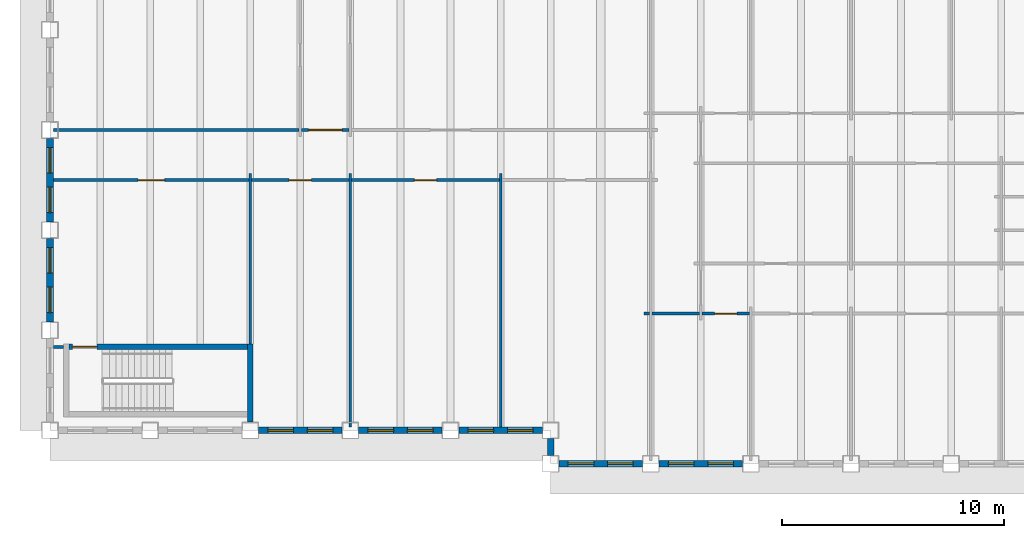
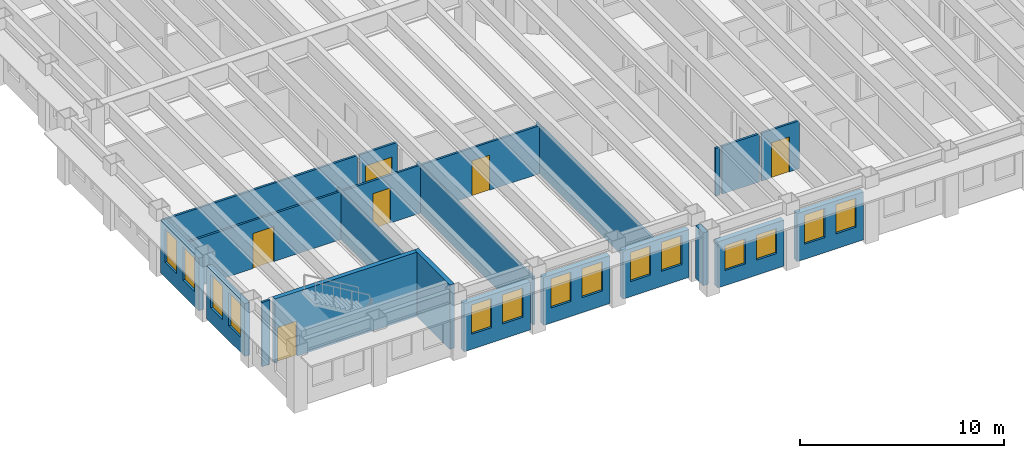
# One storey, part 3 of 16: 22 walls, 14 windows, 6 doors, 20 openings.
"""IFC4 building model written with IfcOpenShell, lengths in metres."""

from ifc_helpers import new_model, si_unit, direction, frame, frame_2d, origin, place, context, subcontext, project, spatial, rectangle, extrude, material, layer, layer_set, type_object, element, fill, save


model = new_model("IFC4")

# Units and contexts
model_context = context("Model", 3, precision=1e-05, world=origin(), true_north=direction((0.0, 1.0)))
body_context = subcontext(model_context, "Body", "Model", "MODEL_VIEW")
ifc_project = project(units=[si_unit("LENGTHUNIT", "METRE"), si_unit("AREAUNIT", "SQUARE_METRE"), si_unit("VOLUMEUNIT", "CUBIC_METRE"), si_unit("PLANEANGLEUNIT", "RADIAN"), si_unit("MASSUNIT", "GRAM", prefix="KILO")], contexts=[model_context])

# Site, building, storey
site_placement = place(None, origin())
site = spatial("IfcSite", under=ifc_project, at=site_placement, CompositionType="ELEMENT")
building_placement = place(site_placement, origin())
building = spatial("IfcBuilding", under=site, at=building_placement, Name="Sennacour Bend Tower", CompositionType="ELEMENT")
storey_placement = place(building_placement, frame((0.0, 0.0, 211.0)))
storey = spatial("IfcBuildingStorey", under=building, at=storey_placement, Name="L48", CompositionType="ELEMENT", Elevation=211.0)

# Walls
ifc_material_1 = material(Name="Plasterboard partition on steel studs", Category="steel")
ifc_layer_1 = layer(ifc_material_1, 0.1201171875, Name="Plasterboard partition on steel studs", Category="steel")
ifc_layer_set_1 = layer_set([ifc_layer_1], Name="Plasterboard partition on steel studs")
wall_type_1 = type_object("IfcWallType", Name="Partition 120", PredefinedType="PARTITIONING", material=ifc_layer_set_1)
wall_1_placement = place(storey_placement, frame((9.0, 3.875, 0.0), z_axis=(0.0, 0.0, 1.0), x_axis=(0.0, 1.0, 0.0)))
element("IfcWall", 1, at=wall_1_placement, inside=storey, type_object=wall_type_1, Name="P-L48-W011a", PredefinedType="PARTITIONING", context=body_context, shape_type="SweptSolid", body=[
    extrude(rectangle(XDim=7.675048828125, YDim=0.1201171875, at=frame_2d((3.83740234375, 0.0))), origin(), (0.0, 0.0, 1.0), 2.8701171875),
])
for number, where, z_axis, x_axis, name in (
    (2, (13.5, 0.14990234375, 0.0), (0.0, 0.0, 1.0), (0.0, 1.0, 0.0), "P-L48-W015a"),
    (3, (20.25, 0.14990234375, 0.0), (0.0, 0.0, 1.0), (0.0, 1.0, 0.0), "P-L48-W022a"),
):
    element("IfcWall", number, at=place(storey_placement, frame(where, z_axis=z_axis, x_axis=x_axis)), inside=storey, type_object=wall_type_1, Name=name, PredefinedType="PARTITIONING", context=body_context, shape_type="SweptSolid", body=[
        extrude(rectangle(XDim=11.400146484375, YDim=0.1201171875, at=frame_2d((5.7001953125, 0.0))), origin(), (0.0, 0.0, 1.0), 2.8701171875),
    ])
wall_2_placement = place(storey_placement, frame((0.14990234375, 3.75, 0.0), z_axis=(0.0, 0.0, 1.0), x_axis=(1.0, 0.0, 0.0)))
element("IfcWall", 4, at=wall_2_placement, inside=storey, type_object=wall_type_1, Name="P-L48-W051a", PredefinedType="PARTITIONING", context=body_context, shape_type="SweptSolid", body=[
    extrude(rectangle(XDim=0.4501953125, YDim=0.1201171875, at=frame_2d((0.22509765625, 0.0))), origin(), (0.0, 0.0, 1.0), 3.85009765625),
])
wall_3_placement = place(storey_placement, frame((26.699951171875, 5.25, 0.0), z_axis=(0.0, 0.0, 1.0), x_axis=(1.0, 0.0, 0.0)))
element("IfcWall", 5, at=wall_3_placement, inside=storey, type_object=wall_type_1, Name="P-L48-W055aa", PredefinedType="PARTITIONING", context=body_context, shape_type="SweptSolid", body=[
    extrude(rectangle(XDim=0.239990234375, YDim=0.1201171875, at=frame_2d((0.1201171875, 0.0))), origin(), (0.0, 0.0, 1.0), 2.8701171875),
])
wall_4_placement = place(storey_placement, frame((27.06005859375, 5.25, 0.0), z_axis=(0.0, 0.0, 1.0), x_axis=(1.0, 0.0, 0.0)))
element("IfcWall", 6, at=wall_4_placement, inside=storey, type_object=wall_type_1, Name="P-L48-W055ab", PredefinedType="PARTITIONING", context=body_context, shape_type="SweptSolid", body=[
    extrude(rectangle(XDim=2.1298828125, YDim=0.1201171875, at=frame_2d((1.06494140625, 0.0))), origin(), (0.0, 0.0, 1.0), 2.8701171875),
])

# Wall, opening, door
wall_5_placement = place(storey_placement, frame((29.31005859375, 5.25, 0.0), z_axis=(0.0, 0.0, 1.0), x_axis=(1.0, 0.0, 0.0)))
wall_5 = element("IfcWall", 7, at=wall_5_placement, inside=storey, type_object=wall_type_1, Name="P-L48-W055ac", PredefinedType="PARTITIONING", context=body_context, shape_type="SweptSolid", body=[
    extrude(rectangle(XDim=2.1298828125, YDim=0.1201171875, at=frame_2d((1.06494140625, 0.0))), origin(), (0.0, 0.0, 1.0), 2.8701171875),
])
opening_1_placement = place(wall_5_placement, frame((0.56494140625, 0.0, 0.0)))
opening_1 = element("IfcOpeningElement", 8, at=opening_1_placement, cuts=wall_5, Name="Opening OD2", PredefinedType="OPENING", context=body_context, shape_type="SweptSolid", body=[
    extrude(rectangle(XDim=1.0, YDim=2.10009765625, at=frame_2d((0.5, 1.050048828125))), frame((0.0, 0.070068359375, 0.0), z_axis=(0.0, -1.0, 0.0), x_axis=(1.0, 0.0, 0.0)), (0.0, 0.0, 1.0), 0.14013671875),
])
ifc_material_2 = material(Name="Timber", Category="wood")
door_type_1 = type_object("IfcDoorType", Name="DR-OFFICE-1000", OperationType="NOTDEFINED", PredefinedType="DOOR", material=ifc_material_2)
door_1_placement = place(opening_1_placement, origin())
door_1 = element("IfcDoor", 9, at=door_1_placement, inside=storey, type_object=door_type_1, Name="Door", OperationType="SINGLE_SWING_LEFT", OverallHeight=2.10009765625, OverallWidth=1.0, PredefinedType="DOOR", context=body_context, shape_type="SweptSolid", body=[
    extrude(rectangle(XDim=1.0, YDim=2.10009765625, at=frame_2d((0.5, 1.050048828125))), frame((0.0, 0.02490234375, 0.0), z_axis=(0.0, -1.0, 0.0), x_axis=(1.0, 0.0, 0.0)), (0.0, 0.0, 1.0), 0.050048828125),
])
fill(opening_1, door_1)

wall_6_placement = place(storey_placement, frame((9.06005859375, 11.25, 0.0), z_axis=(0.0, 0.0, 1.0), x_axis=(1.0, 0.0, 0.0)))
wall_6 = element("IfcWall", 10, at=wall_6_placement, inside=storey, type_object=wall_type_1, Name="P-L48-W061ab", PredefinedType="PARTITIONING", context=body_context, shape_type="SweptSolid", body=[
    extrude(rectangle(XDim=4.3798828125, YDim=0.1201171875, at=frame_2d((2.18994140625, 0.0))), origin(), (0.0, 0.0, 1.0), 2.8701171875),
])
opening_2_placement = place(wall_6_placement, frame((1.68994140625, 0.0, 0.0)))
opening_2 = element("IfcOpeningElement", 11, at=opening_2_placement, cuts=wall_6, Name="Opening OD2", PredefinedType="OPENING", context=body_context, shape_type="SweptSolid", body=[
    extrude(rectangle(XDim=1.0, YDim=2.10009765625, at=frame_2d((0.5, 1.050048828125))), frame((0.0, 0.070068359375, 0.0), z_axis=(0.0, -1.0, 0.0), x_axis=(1.0, 0.0, 0.0)), (0.0, 0.0, 1.0), 0.14013671875),
])
door_2_placement = place(opening_2_placement, origin())
door_2 = element("IfcDoor", 12, at=door_2_placement, inside=storey, type_object=door_type_1, Name="Door", OperationType="SINGLE_SWING_LEFT", OverallHeight=2.10009765625, OverallWidth=1.0, PredefinedType="DOOR", context=body_context, shape_type="SweptSolid", body=[
    extrude(rectangle(XDim=1.0, YDim=2.10009765625, at=frame_2d((0.5, 1.050048828125))), frame((0.0, 0.02490234375, 0.0), z_axis=(0.0, -1.0, 0.0), x_axis=(1.0, 0.0, 0.0)), (0.0, 0.0, 1.0), 0.050048828125),
])
fill(opening_2, door_2)

wall_7_placement = place(storey_placement, frame((13.56005859375, 11.25, 0.0), z_axis=(0.0, 0.0, 1.0), x_axis=(1.0, 0.0, 0.0)))
wall_7 = element("IfcWall", 13, at=wall_7_placement, inside=storey, type_object=wall_type_1, Name="P-L48-W061ac", PredefinedType="PARTITIONING", context=body_context, shape_type="SweptSolid", body=[
    extrude(rectangle(XDim=6.6298828125, YDim=0.1201171875, at=frame_2d((3.31494140625, 0.0))), origin(), (0.0, 0.0, 1.0), 2.8701171875),
])
opening_3_placement = place(wall_7_placement, frame((2.81494140625, 0.0, 0.0)))
opening_3 = element("IfcOpeningElement", 14, at=opening_3_placement, cuts=wall_7, Name="Opening OD2", PredefinedType="OPENING", context=body_context, shape_type="SweptSolid", body=[
    extrude(rectangle(XDim=1.0, YDim=2.10009765625, at=frame_2d((0.5, 1.050048828125))), frame((0.0, 0.070068359375, 0.0), z_axis=(0.0, -1.0, 0.0), x_axis=(1.0, 0.0, 0.0)), (0.0, 0.0, 1.0), 0.14013671875),
])
door_3_placement = place(opening_3_placement, origin())
door_3 = element("IfcDoor", 15, at=door_3_placement, inside=storey, type_object=door_type_1, Name="Door", OperationType="SINGLE_SWING_LEFT", OverallHeight=2.10009765625, OverallWidth=1.0, PredefinedType="DOOR", context=body_context, shape_type="SweptSolid", body=[
    extrude(rectangle(XDim=1.0, YDim=2.10009765625, at=frame_2d((0.5, 1.050048828125))), frame((0.0, 0.02490234375, 0.0), z_axis=(0.0, -1.0, 0.0), x_axis=(1.0, 0.0, 0.0)), (0.0, 0.0, 1.0), 0.050048828125),
])
fill(opening_3, door_3)

# Wall
wall_8_placement = place(storey_placement, frame((0.14990234375, 13.5, 0.0), z_axis=(0.0, 0.0, 1.0), x_axis=(1.0, 0.0, 0.0)))
element("IfcWall", 16, at=wall_8_placement, inside=storey, type_object=wall_type_1, Name="P-L48-W064aa", PredefinedType="PARTITIONING", context=body_context, shape_type="SweptSolid", body=[
    extrude(rectangle(XDim=11.0400390625, YDim=0.1201171875, at=frame_2d((5.52001953125, 0.0))), origin(), (0.0, 0.0, 1.0), 2.8701171875),
])

# Wall, opening, door
ifc_layer_2 = layer(ifc_material_1, 0.1201171875, Name="Plasterboard partition on steel studs", Category="steel")
ifc_layer_set_2 = layer_set([ifc_layer_2], Name="Plasterboard partition on steel studs")
wall_type_2 = type_object("IfcWallType", Name="Partition 120 EI 30", PredefinedType="PARTITIONING", material=ifc_layer_set_2)
wall_9_placement = place(storey_placement, frame((0.14990234375, 11.25, 0.0), z_axis=(0.0, 0.0, 1.0), x_axis=(1.0, 0.0, 0.0)))
wall_9 = element("IfcWall", 17, at=wall_9_placement, inside=storey, type_object=wall_type_2, Name="P-L48-W061aa", PredefinedType="PARTITIONING", context=body_context, shape_type="SweptSolid", body=[
    extrude(rectangle(XDim=8.7900390625, YDim=0.1201171875, at=frame_2d((4.39501953125, 0.0))), origin(), (0.0, 0.0, 1.0), 2.8701171875),
])
opening_4_placement = place(wall_9_placement, frame((3.80517578125, 0.0, 0.0)))
opening_4 = element("IfcOpeningElement", 18, at=opening_4_placement, cuts=wall_9, Name="Opening KD2", PredefinedType="OPENING", context=body_context, shape_type="SweptSolid", body=[
    extrude(rectangle(XDim=1.199951171875, YDim=2.10009765625, at=frame_2d((0.60009765625, 1.050048828125))), frame((0.0, 0.070068359375, 0.0), z_axis=(0.0, -1.0, 0.0), x_axis=(1.0, 0.0, 0.0)), (0.0, 0.0, 1.0), 0.14013671875),
])
ifc_material_3 = material(Name="Painted steel", Category="steel")
door_type_2 = type_object("IfcDoorType", Name="DR-CORRIDOR-1200", OperationType="NOTDEFINED", PredefinedType="DOOR", material=ifc_material_3)
door_4_placement = place(opening_4_placement, origin())
door_4 = element("IfcDoor", 19, at=door_4_placement, inside=storey, type_object=door_type_2, Name="Door", OperationType="SINGLE_SWING_LEFT", OverallHeight=2.10009765625, OverallWidth=1.199951171875, PredefinedType="DOOR", context=body_context, shape_type="SweptSolid", body=[
    extrude(rectangle(XDim=1.199951171875, YDim=2.10009765625, at=frame_2d((0.60009765625, 1.050048828125))), frame((0.0, 0.02490234375, 0.0), z_axis=(0.0, -1.0, 0.0), x_axis=(1.0, 0.0, 0.0)), (0.0, 0.0, 1.0), 0.050048828125),
])
fill(opening_4, door_4)

wall_10_placement = place(storey_placement, frame((11.31005859375, 13.5, 0.0), z_axis=(0.0, 0.0, 1.0), x_axis=(1.0, 0.0, 0.0)))
wall_10 = element("IfcWall", 20, at=wall_10_placement, inside=storey, type_object=wall_type_2, Name="P-L48-W064ab", PredefinedType="PARTITIONING", context=body_context, shape_type="SweptSolid", body=[
    extrude(rectangle(XDim=2.1298828125, YDim=0.1201171875, at=frame_2d((1.06494140625, 0.0))), origin(), (0.0, 0.0, 1.0), 2.8701171875),
])
opening_5_placement = place(wall_10_placement, frame((0.31494140625, 0.0, 0.0)))
opening_5 = element("IfcOpeningElement", 21, at=opening_5_placement, cuts=wall_10, Name="Opening KD", PredefinedType="OPENING", context=body_context, shape_type="SweptSolid", body=[
    extrude(rectangle(XDim=1.5, YDim=2.10009765625, at=frame_2d((0.75, 1.050048828125))), frame((0.0, 0.070068359375, 0.0), z_axis=(0.0, -1.0, 0.0), x_axis=(1.0, 0.0, 0.0)), (0.0, 0.0, 1.0), 0.14013671875),
])
door_type_3 = type_object("IfcDoorType", Name="DR-CORRIDOR-1500", OperationType="NOTDEFINED", PredefinedType="DOOR", material=ifc_material_3)
door_5_placement = place(opening_5_placement, origin())
door_5 = element("IfcDoor", 22, at=door_5_placement, inside=storey, type_object=door_type_3, Name="Door", OperationType="SINGLE_SWING_LEFT", OverallHeight=2.10009765625, OverallWidth=1.5, PredefinedType="DOOR", context=body_context, shape_type="SweptSolid", body=[
    extrude(rectangle(XDim=1.5, YDim=2.10009765625, at=frame_2d((0.75, 1.050048828125))), frame((0.0, 0.02490234375, 0.0), z_axis=(0.0, -1.0, 0.0), x_axis=(1.0, 0.0, 0.0)), (0.0, 0.0, 1.0), 0.050048828125),
])
fill(opening_5, door_5)

# Wall, openings, windows
ifc_material_4 = material(Name="Warm limestone cladding", Category="masonry")
ifc_layer_3 = layer(ifc_material_4, 0.050048828125, Name="Warm limestone cladding", Category="masonry")
ifc_material_5 = material(Name="Precast concrete C40/50", Category="concrete")
ifc_layer_4 = layer(ifc_material_5, 0.25, Name="Precast concrete C40/50", Category="concrete")
ifc_layer_set_3 = layer_set([ifc_layer_3, ifc_layer_4], Name="Precast concrete C40/50 with limestone cladding")
wall_type_3 = type_object("IfcWallType", Name="STONE-CLAD PRECAST SPANDREL 300", PredefinedType="STANDARD", material=ifc_layer_set_3)
wall_11_placement = place(storey_placement, frame((22.875, -1.5, 0.0), z_axis=(0.0, 0.0, 1.0), x_axis=(1.0, 0.0, 0.0)))
wall_11 = element("IfcWall", 23, at=wall_11_placement, inside=storey, type_object=wall_type_3, Name="Stone spandrel and pier wall L48 00.00", PredefinedType="STANDARD", context=body_context, shape_type="SweptSolid", body=[
    extrude(rectangle(XDim=3.75, YDim=0.300048828125, at=frame_2d((1.875, 0.0))), origin(), (0.0, 0.0, 1.0), 2.760009765625),
])
opening_6_placement = place(wall_11_placement, frame((0.41259765625, 0.0, 0.89990234375)))
opening_6 = element("IfcOpeningElement", 24, at=opening_6_placement, cuts=wall_11, Name="Opening W22", PredefinedType="OPENING", context=body_context, shape_type="SweptSolid", body=[
    extrude(rectangle(XDim=1.14990234375, YDim=1.5, at=frame_2d((0.574951171875, 0.75))), frame((0.0, 0.16015625, 0.0), z_axis=(0.0, -1.0, 0.0), x_axis=(1.0, 0.0, 0.0)), (0.0, 0.0, 1.0), 0.320068359375),
])
opening_7_placement = place(wall_11_placement, frame((2.1875, 0.0, 0.89990234375)))
opening_7 = element("IfcOpeningElement", 25, at=opening_7_placement, cuts=wall_11, Name="Opening W22", PredefinedType="OPENING", context=body_context, shape_type="SweptSolid", body=[
    extrude(rectangle(XDim=1.14990234375, YDim=1.5, at=frame_2d((0.574951171875, 0.75))), frame((0.0, 0.16015625, 0.0), z_axis=(0.0, -1.0, 0.0), x_axis=(1.0, 0.0, 0.0)), (0.0, 0.0, 1.0), 0.320068359375),
])
ifc_material_6 = material(Name="Clear low-emissivity glass", Category="glass")
window_type_1 = type_object("IfcWindowType", Name="WIN-RIBBON-1150x1500", PartitioningType="SINGLE_PANEL", PredefinedType="WINDOW", material=ifc_material_6)
window_1_placement = place(opening_6_placement, origin())
window_1 = element("IfcWindow", 26, at=window_1_placement, inside=storey, type_object=window_type_1, Name="Ribbon window L48 00.00.0", OverallHeight=1.5, OverallWidth=1.14990234375, PartitioningType="SINGLE_PANEL", PredefinedType="WINDOW", context=body_context, shape_type="SweptSolid", body=[
    extrude(rectangle(XDim=1.14990234375, YDim=1.5, at=frame_2d((0.574951171875, 0.75))), frame((0.0, 0.030029296875, 0.0), z_axis=(0.0, -1.0, 0.0), x_axis=(1.0, 0.0, 0.0)), (0.0, 0.0, 1.0), 0.06005859375),
])
fill(opening_6, window_1)
window_2_placement = place(opening_7_placement, origin())
window_2 = element("IfcWindow", 27, at=window_2_placement, inside=storey, type_object=window_type_1, Name="Ribbon window L48 00.00.1", OverallHeight=1.5, OverallWidth=1.14990234375, PartitioningType="SINGLE_PANEL", PredefinedType="WINDOW", context=body_context, shape_type="SweptSolid", body=[
    extrude(rectangle(XDim=1.14990234375, YDim=1.5, at=frame_2d((0.574951171875, 0.75))), frame((0.0, 0.030029296875, 0.0), z_axis=(0.0, -1.0, 0.0), x_axis=(1.0, 0.0, 0.0)), (0.0, 0.0, 1.0), 0.06005859375),
])
fill(opening_7, window_2)

wall_12_placement = place(storey_placement, frame((27.375, -1.5, 0.0), z_axis=(0.0, 0.0, 1.0), x_axis=(1.0, 0.0, 0.0)))
wall_12 = element("IfcWall", 28, at=wall_12_placement, inside=storey, type_object=wall_type_3, Name="Stone spandrel and pier wall L48 00.01", PredefinedType="STANDARD", context=body_context, shape_type="SweptSolid", body=[
    extrude(rectangle(XDim=3.75, YDim=0.300048828125, at=frame_2d((1.875, 0.0))), origin(), (0.0, 0.0, 1.0), 2.8701171875),
])
opening_8_placement = place(wall_12_placement, frame((0.41259765625, 0.0, 0.89990234375)))
opening_8 = element("IfcOpeningElement", 29, at=opening_8_placement, cuts=wall_12, Name="Opening W23", PredefinedType="OPENING", context=body_context, shape_type="SweptSolid", body=[
    extrude(rectangle(XDim=1.14990234375, YDim=1.75, at=frame_2d((0.574951171875, 0.875))), frame((0.0, 0.16015625, 0.0), z_axis=(0.0, -1.0, 0.0), x_axis=(1.0, 0.0, 0.0)), (0.0, 0.0, 1.0), 0.320068359375),
])
opening_9_placement = place(wall_12_placement, frame((2.1875, 0.0, 0.89990234375)))
opening_9 = element("IfcOpeningElement", 30, at=opening_9_placement, cuts=wall_12, Name="Opening W23", PredefinedType="OPENING", context=body_context, shape_type="SweptSolid", body=[
    extrude(rectangle(XDim=1.14990234375, YDim=1.75, at=frame_2d((0.574951171875, 0.875))), frame((0.0, 0.16015625, 0.0), z_axis=(0.0, -1.0, 0.0), x_axis=(1.0, 0.0, 0.0)), (0.0, 0.0, 1.0), 0.320068359375),
])
window_type_2 = type_object("IfcWindowType", Name="WIN-RIBBON-1150x1750", PartitioningType="SINGLE_PANEL", PredefinedType="WINDOW", material=ifc_material_6)
window_3_placement = place(opening_8_placement, origin())
window_3 = element("IfcWindow", 31, at=window_3_placement, inside=storey, type_object=window_type_2, Name="Ribbon window L48 00.01.0", OverallHeight=1.75, OverallWidth=1.14990234375, PartitioningType="SINGLE_PANEL", PredefinedType="WINDOW", context=body_context, shape_type="SweptSolid", body=[
    extrude(rectangle(XDim=1.14990234375, YDim=1.75, at=frame_2d((0.574951171875, 0.875))), frame((0.0, 0.030029296875, 0.0), z_axis=(0.0, -1.0, 0.0), x_axis=(1.0, 0.0, 0.0)), (0.0, 0.0, 1.0), 0.06005859375),
])
fill(opening_8, window_3)
window_4_placement = place(opening_9_placement, origin())
window_4 = element("IfcWindow", 32, at=window_4_placement, inside=storey, type_object=window_type_2, Name="Ribbon window L48 00.01.1", OverallHeight=1.75, OverallWidth=1.14990234375, PartitioningType="SINGLE_PANEL", PredefinedType="WINDOW", context=body_context, shape_type="SweptSolid", body=[
    extrude(rectangle(XDim=1.14990234375, YDim=1.75, at=frame_2d((0.574951171875, 0.875))), frame((0.0, 0.030029296875, 0.0), z_axis=(0.0, -1.0, 0.0), x_axis=(1.0, 0.0, 0.0)), (0.0, 0.0, 1.0), 0.06005859375),
])
fill(opening_9, window_4)

wall_13_placement = place(storey_placement, frame((0.0, 13.125, 0.0), z_axis=(0.0, 0.0, 1.0), x_axis=(0.0, -1.0, 0.0)))
wall_13 = element("IfcWall", 33, at=wall_13_placement, inside=storey, type_object=wall_type_3, Name="Stone spandrel and pier wall L48 21.02", PredefinedType="STANDARD", context=body_context, shape_type="SweptSolid", body=[
    extrude(rectangle(XDim=3.75, YDim=0.300048828125, at=frame_2d((1.875, 0.0))), origin(), (0.0, 0.0, 1.0), 3.156982421875),
])
opening_10_placement = place(wall_13_placement, frame((0.41259765625, 0.0, 0.89990234375)))
opening_10 = element("IfcOpeningElement", 34, at=opening_10_placement, cuts=wall_13, Name="Opening W24", PredefinedType="OPENING", context=body_context, shape_type="SweptSolid", body=[
    extrude(rectangle(XDim=1.14990234375, YDim=2.0, at=frame_2d((0.574951171875, 1.0))), frame((0.0, 0.16015625, 0.0), z_axis=(0.0, -1.0, 0.0), x_axis=(1.0, 0.0, 0.0)), (0.0, 0.0, 1.0), 0.320068359375),
])
opening_11_placement = place(wall_13_placement, frame((2.1875, 0.0, 0.89990234375)))
opening_11 = element("IfcOpeningElement", 35, at=opening_11_placement, cuts=wall_13, Name="Opening W24", PredefinedType="OPENING", context=body_context, shape_type="SweptSolid", body=[
    extrude(rectangle(XDim=1.14990234375, YDim=2.0, at=frame_2d((0.574951171875, 1.0))), frame((0.0, 0.16015625, 0.0), z_axis=(0.0, -1.0, 0.0), x_axis=(1.0, 0.0, 0.0)), (0.0, 0.0, 1.0), 0.320068359375),
])
window_type_3 = type_object("IfcWindowType", Name="WIN-RIBBON-1150x2000", PartitioningType="SINGLE_PANEL", PredefinedType="WINDOW", material=ifc_material_6)
window_5_placement = place(opening_10_placement, origin())
window_5 = element("IfcWindow", 36, at=window_5_placement, inside=storey, type_object=window_type_3, Name="Ribbon window L48 21.02.0", OverallHeight=2.0, OverallWidth=1.14990234375, PartitioningType="SINGLE_PANEL", PredefinedType="WINDOW", context=body_context, shape_type="SweptSolid", body=[
    extrude(rectangle(XDim=1.14990234375, YDim=2.0, at=frame_2d((0.574951171875, 1.0))), frame((0.0, 0.030029296875, 0.0), z_axis=(0.0, -1.0, 0.0), x_axis=(1.0, 0.0, 0.0)), (0.0, 0.0, 1.0), 0.06005859375),
])
fill(opening_10, window_5)
window_6_placement = place(opening_11_placement, origin())
window_6 = element("IfcWindow", 37, at=window_6_placement, inside=storey, type_object=window_type_3, Name="Ribbon window L48 21.02.1", OverallHeight=2.0, OverallWidth=1.14990234375, PartitioningType="SINGLE_PANEL", PredefinedType="WINDOW", context=body_context, shape_type="SweptSolid", body=[
    extrude(rectangle(XDim=1.14990234375, YDim=2.0, at=frame_2d((0.574951171875, 1.0))), frame((0.0, 0.030029296875, 0.0), z_axis=(0.0, -1.0, 0.0), x_axis=(1.0, 0.0, 0.0)), (0.0, 0.0, 1.0), 0.06005859375),
])
fill(opening_11, window_6)

wall_14_placement = place(storey_placement, frame((0.0, 8.625, 0.0), z_axis=(0.0, 0.0, 1.0), x_axis=(0.0, -1.0, 0.0)))
wall_14 = element("IfcWall", 38, at=wall_14_placement, inside=storey, type_object=wall_type_3, Name="Stone spandrel and pier wall L48 21.03", PredefinedType="STANDARD", context=body_context, shape_type="SweptSolid", body=[
    extrude(rectangle(XDim=3.75, YDim=0.300048828125, at=frame_2d((1.875, 0.0))), origin(), (0.0, 0.0, 1.0), 3.156982421875),
])
opening_12_placement = place(wall_14_placement, frame((0.41259765625, 0.0, 0.89990234375)))
opening_12 = element("IfcOpeningElement", 39, at=opening_12_placement, cuts=wall_14, Name="Opening W24", PredefinedType="OPENING", context=body_context, shape_type="SweptSolid", body=[
    extrude(rectangle(XDim=1.14990234375, YDim=2.0, at=frame_2d((0.574951171875, 1.0))), frame((0.0, 0.16015625, 0.0), z_axis=(0.0, -1.0, 0.0), x_axis=(1.0, 0.0, 0.0)), (0.0, 0.0, 1.0), 0.320068359375),
])
opening_13_placement = place(wall_14_placement, frame((2.1875, 0.0, 0.89990234375)))
opening_13 = element("IfcOpeningElement", 40, at=opening_13_placement, cuts=wall_14, Name="Opening W24", PredefinedType="OPENING", context=body_context, shape_type="SweptSolid", body=[
    extrude(rectangle(XDim=1.14990234375, YDim=2.0, at=frame_2d((0.574951171875, 1.0))), frame((0.0, 0.16015625, 0.0), z_axis=(0.0, -1.0, 0.0), x_axis=(1.0, 0.0, 0.0)), (0.0, 0.0, 1.0), 0.320068359375),
])
window_7_placement = place(opening_12_placement, origin())
window_7 = element("IfcWindow", 41, at=window_7_placement, inside=storey, type_object=window_type_3, Name="Ribbon window L48 21.03.0", OverallHeight=2.0, OverallWidth=1.14990234375, PartitioningType="SINGLE_PANEL", PredefinedType="WINDOW", context=body_context, shape_type="SweptSolid", body=[
    extrude(rectangle(XDim=1.14990234375, YDim=2.0, at=frame_2d((0.574951171875, 1.0))), frame((0.0, 0.030029296875, 0.0), z_axis=(0.0, -1.0, 0.0), x_axis=(1.0, 0.0, 0.0)), (0.0, 0.0, 1.0), 0.06005859375),
])
fill(opening_12, window_7)
window_8_placement = place(opening_13_placement, origin())
window_8 = element("IfcWindow", 42, at=window_8_placement, inside=storey, type_object=window_type_3, Name="Ribbon window L48 21.03.1", OverallHeight=2.0, OverallWidth=1.14990234375, PartitioningType="SINGLE_PANEL", PredefinedType="WINDOW", context=body_context, shape_type="SweptSolid", body=[
    extrude(rectangle(XDim=1.14990234375, YDim=2.0, at=frame_2d((0.574951171875, 1.0))), frame((0.0, 0.030029296875, 0.0), z_axis=(0.0, -1.0, 0.0), x_axis=(1.0, 0.0, 0.0)), (0.0, 0.0, 1.0), 0.06005859375),
])
fill(opening_13, window_8)

wall_15_placement = place(storey_placement, frame((9.375, 0.0, 0.0), z_axis=(0.0, 0.0, 1.0), x_axis=(1.0, 0.0, 0.0)))
wall_15 = element("IfcWall", 43, at=wall_15_placement, inside=storey, type_object=wall_type_3, Name="Stone spandrel and pier wall L48 22.02", PredefinedType="STANDARD", context=body_context, shape_type="SweptSolid", body=[
    extrude(rectangle(XDim=3.75, YDim=0.300048828125, at=frame_2d((1.875, 0.0))), origin(), (0.0, 0.0, 1.0), 2.8701171875),
])
opening_14_placement = place(wall_15_placement, frame((0.41259765625, 0.0, 0.89990234375)))
opening_14 = element("IfcOpeningElement", 44, at=opening_14_placement, cuts=wall_15, Name="Opening W23", PredefinedType="OPENING", context=body_context, shape_type="SweptSolid", body=[
    extrude(rectangle(XDim=1.14990234375, YDim=1.75, at=frame_2d((0.574951171875, 0.875))), frame((0.0, 0.16015625, 0.0), z_axis=(0.0, -1.0, 0.0), x_axis=(1.0, 0.0, 0.0)), (0.0, 0.0, 1.0), 0.320068359375),
])
opening_15_placement = place(wall_15_placement, frame((2.1875, 0.0, 0.89990234375)))
opening_15 = element("IfcOpeningElement", 45, at=opening_15_placement, cuts=wall_15, Name="Opening W23", PredefinedType="OPENING", context=body_context, shape_type="SweptSolid", body=[
    extrude(rectangle(XDim=1.14990234375, YDim=1.75, at=frame_2d((0.574951171875, 0.875))), frame((0.0, 0.16015625, 0.0), z_axis=(0.0, -1.0, 0.0), x_axis=(1.0, 0.0, 0.0)), (0.0, 0.0, 1.0), 0.320068359375),
])
window_9_placement = place(opening_14_placement, origin())
window_9 = element("IfcWindow", 46, at=window_9_placement, inside=storey, type_object=window_type_2, Name="Ribbon window L48 22.02.0", OverallHeight=1.75, OverallWidth=1.14990234375, PartitioningType="SINGLE_PANEL", PredefinedType="WINDOW", context=body_context, shape_type="SweptSolid", body=[
    extrude(rectangle(XDim=1.14990234375, YDim=1.75, at=frame_2d((0.574951171875, 0.875))), frame((0.0, 0.030029296875, 0.0), z_axis=(0.0, -1.0, 0.0), x_axis=(1.0, 0.0, 0.0)), (0.0, 0.0, 1.0), 0.06005859375),
])
fill(opening_14, window_9)
window_10_placement = place(opening_15_placement, origin())
window_10 = element("IfcWindow", 47, at=window_10_placement, inside=storey, type_object=window_type_2, Name="Ribbon window L48 22.02.1", OverallHeight=1.75, OverallWidth=1.14990234375, PartitioningType="SINGLE_PANEL", PredefinedType="WINDOW", context=body_context, shape_type="SweptSolid", body=[
    extrude(rectangle(XDim=1.14990234375, YDim=1.75, at=frame_2d((0.574951171875, 0.875))), frame((0.0, 0.030029296875, 0.0), z_axis=(0.0, -1.0, 0.0), x_axis=(1.0, 0.0, 0.0)), (0.0, 0.0, 1.0), 0.06005859375),
])
fill(opening_15, window_10)

wall_16_placement = place(storey_placement, frame((13.875, 0.0, 0.0), z_axis=(0.0, 0.0, 1.0), x_axis=(1.0, 0.0, 0.0)))
wall_16 = element("IfcWall", 48, at=wall_16_placement, inside=storey, type_object=wall_type_3, Name="Stone spandrel and pier wall L48 22.03", PredefinedType="STANDARD", context=body_context, shape_type="SweptSolid", body=[
    extrude(rectangle(XDim=3.75, YDim=0.300048828125, at=frame_2d((1.875, 0.0))), origin(), (0.0, 0.0, 1.0), 2.8701171875),
])
opening_16_placement = place(wall_16_placement, frame((0.41259765625, 0.0, 0.89990234375)))
opening_16 = element("IfcOpeningElement", 49, at=opening_16_placement, cuts=wall_16, Name="Opening W23", PredefinedType="OPENING", context=body_context, shape_type="SweptSolid", body=[
    extrude(rectangle(XDim=1.14990234375, YDim=1.75, at=frame_2d((0.574951171875, 0.875))), frame((0.0, 0.16015625, 0.0), z_axis=(0.0, -1.0, 0.0), x_axis=(1.0, 0.0, 0.0)), (0.0, 0.0, 1.0), 0.320068359375),
])
opening_17_placement = place(wall_16_placement, frame((2.1875, 0.0, 0.89990234375)))
opening_17 = element("IfcOpeningElement", 50, at=opening_17_placement, cuts=wall_16, Name="Opening W23", PredefinedType="OPENING", context=body_context, shape_type="SweptSolid", body=[
    extrude(rectangle(XDim=1.14990234375, YDim=1.75, at=frame_2d((0.574951171875, 0.875))), frame((0.0, 0.16015625, 0.0), z_axis=(0.0, -1.0, 0.0), x_axis=(1.0, 0.0, 0.0)), (0.0, 0.0, 1.0), 0.320068359375),
])
window_11_placement = place(opening_16_placement, origin())
window_11 = element("IfcWindow", 51, at=window_11_placement, inside=storey, type_object=window_type_2, Name="Ribbon window L48 22.03.0", OverallHeight=1.75, OverallWidth=1.14990234375, PartitioningType="SINGLE_PANEL", PredefinedType="WINDOW", context=body_context, shape_type="SweptSolid", body=[
    extrude(rectangle(XDim=1.14990234375, YDim=1.75, at=frame_2d((0.574951171875, 0.875))), frame((0.0, 0.030029296875, 0.0), z_axis=(0.0, -1.0, 0.0), x_axis=(1.0, 0.0, 0.0)), (0.0, 0.0, 1.0), 0.06005859375),
])
fill(opening_16, window_11)
window_12_placement = place(opening_17_placement, origin())
window_12 = element("IfcWindow", 52, at=window_12_placement, inside=storey, type_object=window_type_2, Name="Ribbon window L48 22.03.1", OverallHeight=1.75, OverallWidth=1.14990234375, PartitioningType="SINGLE_PANEL", PredefinedType="WINDOW", context=body_context, shape_type="SweptSolid", body=[
    extrude(rectangle(XDim=1.14990234375, YDim=1.75, at=frame_2d((0.574951171875, 0.875))), frame((0.0, 0.030029296875, 0.0), z_axis=(0.0, -1.0, 0.0), x_axis=(1.0, 0.0, 0.0)), (0.0, 0.0, 1.0), 0.06005859375),
])
fill(opening_17, window_12)

wall_17_placement = place(storey_placement, frame((18.375, 0.0, 0.0), z_axis=(0.0, 0.0, 1.0), x_axis=(1.0, 0.0, 0.0)))
wall_17 = element("IfcWall", 53, at=wall_17_placement, inside=storey, type_object=wall_type_3, Name="Stone spandrel and pier wall L48 22.04", PredefinedType="STANDARD", context=body_context, shape_type="SweptSolid", body=[
    extrude(rectangle(XDim=3.75, YDim=0.300048828125, at=frame_2d((1.875, 0.0))), origin(), (0.0, 0.0, 1.0), 2.8701171875),
])
opening_18_placement = place(wall_17_placement, frame((0.41259765625, 0.0, 0.89990234375)))
opening_18 = element("IfcOpeningElement", 54, at=opening_18_placement, cuts=wall_17, Name="Opening W23", PredefinedType="OPENING", context=body_context, shape_type="SweptSolid", body=[
    extrude(rectangle(XDim=1.14990234375, YDim=1.75, at=frame_2d((0.574951171875, 0.875))), frame((0.0, 0.16015625, 0.0), z_axis=(0.0, -1.0, 0.0), x_axis=(1.0, 0.0, 0.0)), (0.0, 0.0, 1.0), 0.320068359375),
])
opening_19_placement = place(wall_17_placement, frame((2.1875, 0.0, 0.89990234375)))
opening_19 = element("IfcOpeningElement", 55, at=opening_19_placement, cuts=wall_17, Name="Opening W23", PredefinedType="OPENING", context=body_context, shape_type="SweptSolid", body=[
    extrude(rectangle(XDim=1.14990234375, YDim=1.75, at=frame_2d((0.574951171875, 0.875))), frame((0.0, 0.16015625, 0.0), z_axis=(0.0, -1.0, 0.0), x_axis=(1.0, 0.0, 0.0)), (0.0, 0.0, 1.0), 0.320068359375),
])
window_13_placement = place(opening_18_placement, origin())
window_13 = element("IfcWindow", 56, at=window_13_placement, inside=storey, type_object=window_type_2, Name="Ribbon window L48 22.04.0", OverallHeight=1.75, OverallWidth=1.14990234375, PartitioningType="SINGLE_PANEL", PredefinedType="WINDOW", context=body_context, shape_type="SweptSolid", body=[
    extrude(rectangle(XDim=1.14990234375, YDim=1.75, at=frame_2d((0.574951171875, 0.875))), frame((0.0, 0.030029296875, 0.0), z_axis=(0.0, -1.0, 0.0), x_axis=(1.0, 0.0, 0.0)), (0.0, 0.0, 1.0), 0.06005859375),
])
fill(opening_18, window_13)
window_14_placement = place(opening_19_placement, origin())
window_14 = element("IfcWindow", 57, at=window_14_placement, inside=storey, type_object=window_type_2, Name="Ribbon window L48 22.04.1", OverallHeight=1.75, OverallWidth=1.14990234375, PartitioningType="SINGLE_PANEL", PredefinedType="WINDOW", context=body_context, shape_type="SweptSolid", body=[
    extrude(rectangle(XDim=1.14990234375, YDim=1.75, at=frame_2d((0.574951171875, 0.875))), frame((0.0, 0.030029296875, 0.0), z_axis=(0.0, -1.0, 0.0), x_axis=(1.0, 0.0, 0.0)), (0.0, 0.0, 1.0), 0.06005859375),
])
fill(opening_19, window_14)

# Walls
wall_18_placement = place(storey_placement, frame((22.5, -0.375, 0.0), z_axis=(0.0, 0.0, 1.0), x_axis=(0.0, -1.0, 0.0)))
element("IfcWall", 58, at=wall_18_placement, inside=storey, type_object=wall_type_3, Name="Stone spandrel and pier wall L48 23.00", PredefinedType="STANDARD", context=body_context, shape_type="SweptSolid", body=[
    extrude(rectangle(XDim=0.75, YDim=0.300048828125, at=frame_2d((0.375, 0.0))), origin(), (0.0, 0.0, 1.0), 3.156982421875),
])
ifc_material_7 = material(Name="Concrete C60/75", Category="concrete")
ifc_layer_5 = layer(ifc_material_7, 0.25, Name="Concrete C60/75", Category="concrete")
ifc_layer_set_4 = layer_set([ifc_layer_5], Name="Concrete C60/75")
wall_type_4 = type_object("IfcWallType", Name="Stair wall 250", PredefinedType="SHEAR", material=ifc_layer_set_4)
wall_19_placement = place(storey_placement, frame((9.0, 0.375, 0.0), z_axis=(0.0, 0.0, 1.0), x_axis=(0.0, 1.0, 0.0)))
element("IfcWall", 59, at=wall_19_placement, inside=storey, type_object=wall_type_4, Name="P-L48-W010", PredefinedType="SHEAR", context=body_context, shape_type="SweptSolid", body=[
    extrude(rectangle(XDim=3.5, YDim=0.25, at=frame_2d((1.75, 0.0))), origin(), (0.0, 0.0, 1.0), 3.85009765625),
])

# Wall, opening, door
wall_20_placement = place(storey_placement, frame((0.85009765625, 3.75, 0.0), z_axis=(0.0, 0.0, 1.0), x_axis=(1.0, 0.0, 0.0)))
wall_20 = element("IfcWall", 60, at=wall_20_placement, inside=storey, type_object=wall_type_4, Name="P-L48-W052", PredefinedType="SHEAR", context=body_context, shape_type="SweptSolid", body=[
    extrude(rectangle(XDim=8.02490234375, YDim=0.25, at=frame_2d((4.012451171875, 0.0))), origin(), (0.0, 0.0, 1.0), 3.85009765625),
])
opening_20_placement = place(wall_20_placement, frame((0.14990234375, 0.0, 0.0)))
opening_20 = element("IfcOpeningElement", 61, at=opening_20_placement, cuts=wall_20, Name="Opening SD", PredefinedType="OPENING", context=body_context, shape_type="SweptSolid", body=[
    extrude(rectangle(XDim=1.10009765625, YDim=2.10009765625, at=frame_2d((0.550048828125, 1.050048828125))), frame((0.0, 0.135009765625, 0.0), z_axis=(0.0, -1.0, 0.0), x_axis=(1.0, 0.0, 0.0)), (0.0, 0.0, 1.0), 0.27001953125),
])
door_type_4 = type_object("IfcDoorType", Name="DR-STAIR-1100", OperationType="NOTDEFINED", PredefinedType="DOOR", material=ifc_material_3)
door_6_placement = place(opening_20_placement, origin())
door_6 = element("IfcDoor", 62, at=door_6_placement, inside=storey, type_object=door_type_4, Name="Door", OperationType="SINGLE_SWING_LEFT", OverallHeight=2.10009765625, OverallWidth=1.10009765625, PredefinedType="DOOR", context=body_context, shape_type="SweptSolid", body=[
    extrude(rectangle(XDim=1.10009765625, YDim=2.10009765625, at=frame_2d((0.550048828125, 1.050048828125))), frame((0.0, 0.02490234375, 0.0), z_axis=(0.0, -1.0, 0.0), x_axis=(1.0, 0.0, 0.0)), (0.0, 0.0, 1.0), 0.050048828125),
])
fill(opening_20, door_6)

save(model, "model.ifc")
